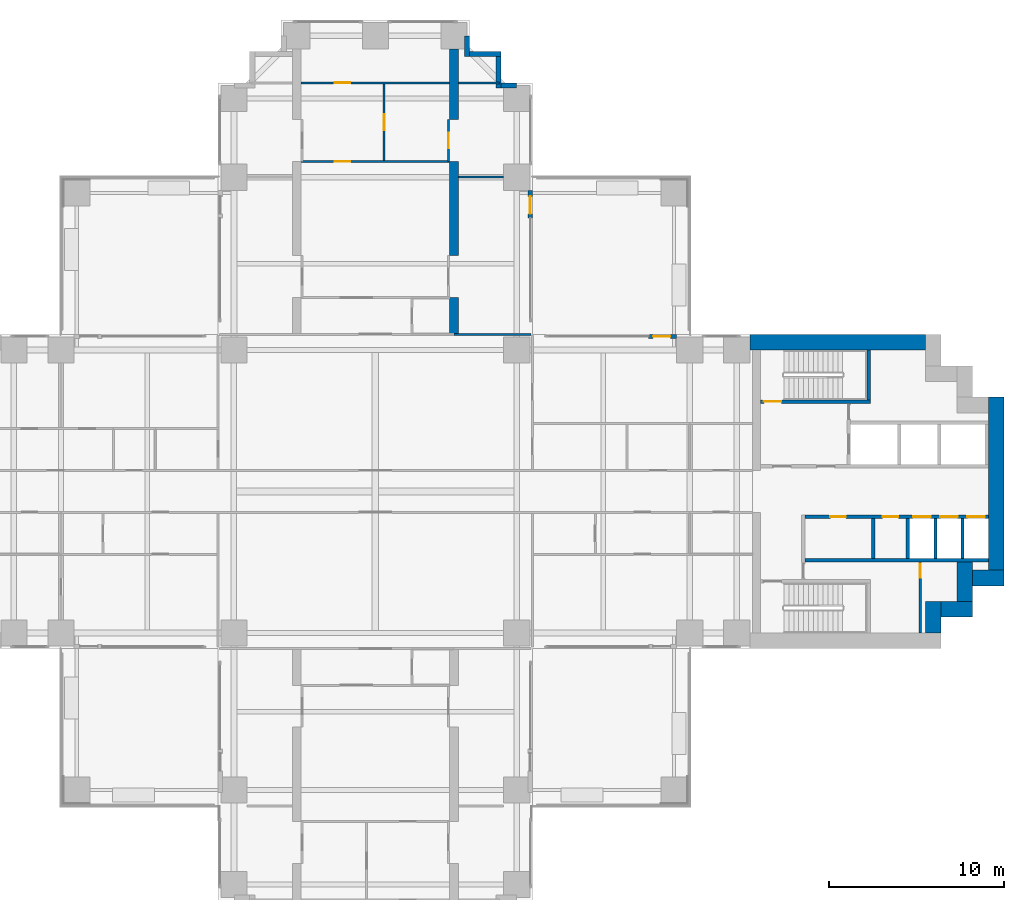
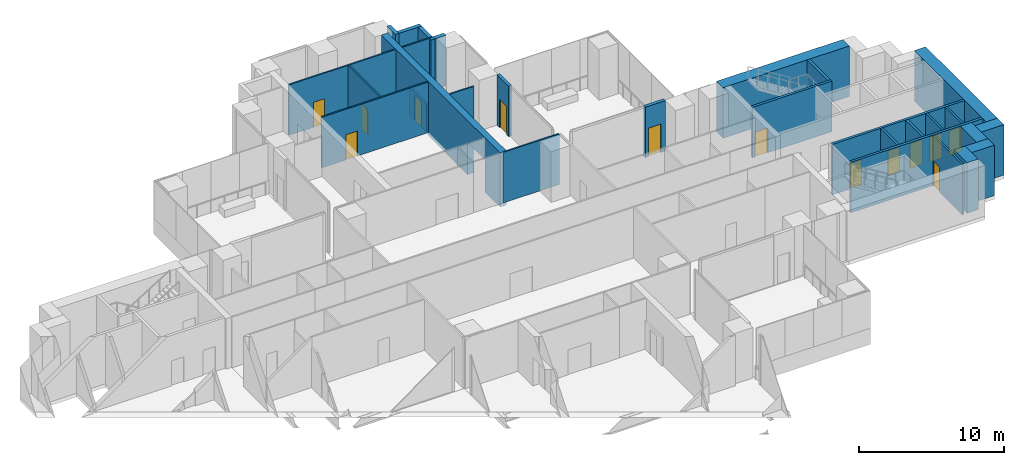
# One storey, part 11 of 15: 29 walls, 13 doors, 13 openings.
"""IFC4 building model written with IfcOpenShell, lengths in metres."""

from ifc_helpers import new_model, si_unit, direction, frame, frame_2d, origin, place, context, subcontext, project, spatial, polyline, rectangle, outline, extrude, material, layer, layer_set, material_profile, profile_set, type_object, element, fill, save


model = new_model("IFC4")

# Units and contexts
model_context = context("Model", 3, precision=1e-05, world=origin(), true_north=direction((0.0, 1.0)))
body_context = subcontext(model_context, "Body", "Model", "MODEL_VIEW")
ifc_project = project(units=[si_unit("LENGTHUNIT", "METRE"), si_unit("AREAUNIT", "SQUARE_METRE"), si_unit("VOLUMEUNIT", "CUBIC_METRE"), si_unit("PLANEANGLEUNIT", "RADIAN"), si_unit("MASSUNIT", "GRAM", prefix="KILO")], contexts=[model_context])

# Site, building, storey
site_placement = place(None, origin())
site = spatial("IfcSite", under=ifc_project, at=site_placement, CompositionType="ELEMENT")
building_placement = place(site_placement, origin())
building = spatial("IfcBuilding", under=site, at=building_placement, Name="Perihelion Cross Residences", CompositionType="ELEMENT")
storey_placement = place(building_placement, frame((0.0, 0.0, 32.0)))
storey = spatial("IfcBuildingStorey", under=building, at=storey_placement, Name="L04", CompositionType="ELEMENT", Elevation=32.0)

# Wall, opening, door
ifc_material_1 = material(Name="Concrete C30/37, bronze-clad", Category="concrete")
ifc_layer_1 = layer(ifc_material_1, 0.25)
ifc_layer_set_1 = layer_set([ifc_layer_1], Name="Bronze-clad pier wall 250")
wall_type_1 = type_object("IfcWallType", Name="Bronze-clad pier wall 250", PredefinedType="SOLIDWALL", material=ifc_layer_set_1)
wall_1_placement = place(storey_placement, frame((17.25, 8.875, 0.0), z_axis=(0.0, 0.0, 1.0), x_axis=(-1.0, 0.0, 0.0)))
wall_1 = element("IfcWall", 1, at=wall_1_placement, inside=storey, type_object=wall_type_1, Name="Wall FW1 L04 east side north bay 2 pier", PredefinedType="SOLIDWALL", context=body_context, shape_type="SweptSolid", body=[
    extrude(rectangle(XDim=1.60009765625, YDim=0.25, at=frame_2d((0.800048828125, 0.0))), origin(), (0.0, 0.0, 1.0), 4.25),
])
opening_1_placement = place(wall_1_placement, frame((0.35009765625, 0.0, 0.0)))
opening_1 = element("IfcOpeningElement", 2, at=opening_1_placement, cuts=wall_1, Name="Opening L04.E01", PredefinedType="OPENING", context=body_context, shape_type="SweptSolid", body=[
    extrude(rectangle(XDim=1.0, YDim=2.39990234375, at=frame_2d((0.5, 1.199951171875))), frame((0.0, 0.135009765625, 0.0), z_axis=(0.0, -1.0, 0.0), x_axis=(1.0, 0.0, 0.0)), (0.0, 0.0, 1.0), 0.27001953125),
])
ifc_material_2 = material(Name="Bronze anodised aluminium, glazed", Category="aluminium")
door_type_1 = type_object("IfcDoorType", Name="Balcony door 1000 x 2400", OperationType="NOTDEFINED", PredefinedType="DOOR", material=ifc_material_2)
door_1_placement = place(opening_1_placement, origin())
door_1 = element("IfcDoor", 3, at=door_1_placement, inside=storey, type_object=door_type_1, Name="Door L04.E01 east side north bay 2", OperationType="SINGLE_SWING_RIGHT", OverallHeight=2.39990234375, OverallWidth=1.0, PredefinedType="DOOR", context=body_context, shape_type="SweptSolid", body=[
    extrude(rectangle(XDim=1.0, YDim=2.39990234375, at=frame_2d((0.5, 1.199951171875))), frame((0.0, 0.02490234375, 0.0), z_axis=(0.0, -1.0, 0.0), x_axis=(1.0, 0.0, 0.0)), (0.0, 0.0, 1.0), 0.050048828125),
])
fill(opening_1, door_1)

wall_2_placement = place(storey_placement, frame((8.875, 15.64990234375, 0.0), z_axis=(0.0, 0.0, 1.0), x_axis=(0.0, 1.0, 0.0)))
wall_2 = element("IfcWall", 4, at=wall_2_placement, inside=storey, type_object=wall_type_1, Name="Wall FW1 L04 north side east bay 1 pier", PredefinedType="SOLIDWALL", context=body_context, shape_type="SweptSolid", body=[
    extrude(rectangle(XDim=1.60009765625, YDim=0.25, at=frame_2d((0.800048828125, 0.0))), origin(), (0.0, 0.0, 1.0), 4.25),
])
opening_2_placement = place(wall_2_placement, frame((0.25, 0.0, 0.0)))
opening_2 = element("IfcOpeningElement", 5, at=opening_2_placement, cuts=wall_2, Name="Opening L04.E02", PredefinedType="OPENING", context=body_context, shape_type="SweptSolid", body=[
    extrude(rectangle(XDim=1.0, YDim=2.39990234375, at=frame_2d((0.5, 1.199951171875))), frame((0.0, 0.135009765625, 0.0), z_axis=(0.0, -1.0, 0.0), x_axis=(1.0, 0.0, 0.0)), (0.0, 0.0, 1.0), 0.27001953125),
])
door_2_placement = place(opening_2_placement, origin())
door_2 = element("IfcDoor", 6, at=door_2_placement, inside=storey, type_object=door_type_1, Name="Door L04.E02 north side east bay 1", OperationType="SINGLE_SWING_LEFT", OverallHeight=2.39990234375, OverallWidth=1.0, PredefinedType="DOOR", context=body_context, shape_type="SweptSolid", body=[
    extrude(rectangle(XDim=1.0, YDim=2.39990234375, at=frame_2d((0.5, 1.199951171875))), frame((0.0, 0.02490234375, 0.0), z_axis=(0.0, -1.0, 0.0), x_axis=(1.0, 0.0, 0.0)), (0.0, 0.0, 1.0), 0.050048828125),
])
fill(opening_2, door_2)

# Walls
ifc_material_3 = material(Name="Concrete C30/37, bronze-clad", Category="concrete")
ifc_layer_2 = layer(ifc_material_3, 0.300048828125)
ifc_layer_set_2 = layer_set([ifc_layer_2], Name="Bronze-clad serration wall 300")
wall_type_2 = type_object("IfcWallType", Name="Bronze-clad serration wall 300", PredefinedType="SOLIDWALL", material=ifc_layer_set_2)
wall_3_placement = place(storey_placement, frame((8.080078125, 23.25, 0.0), z_axis=(0.0, 0.0, 1.0), x_axis=(-1.0, 0.0, 0.0)))
element("IfcWall", 7, at=wall_3_placement, inside=storey, type_object=wall_type_2, Name="Wall SR1 L04 north corner north-east 1", PredefinedType="SOLIDWALL", context=body_context, shape_type="SweptSolid", body=[
    extrude(rectangle(XDim=0.880126953125, YDim=0.300048828125, at=frame_2d((0.43994140625, 0.0))), origin(), (0.0, 0.0, 1.0), 4.25),
])
wall_4_placement = place(storey_placement, frame((7.050048828125, 23.10009765625, 0.0), z_axis=(0.0, 0.0, 1.0), x_axis=(0.0, 1.0, 0.0)))
element("IfcWall", 8, at=wall_4_placement, inside=storey, type_object=wall_type_2, Name="Wall SR1 L04 north corner north-east 2", PredefinedType="SOLIDWALL", context=body_context, shape_type="SweptSolid", body=[
    extrude(rectangle(XDim=1.7998046875, YDim=0.300048828125, at=frame_2d((0.89990234375, 0.0))), origin(), (0.0, 0.0, 1.0), 4.25),
])
wall_5_placement = place(storey_placement, frame((7.199951171875, 25.050048828125, 0.0), z_axis=(0.0, 0.0, 1.0), x_axis=(-1.0, 0.0, 0.0)))
element("IfcWall", 9, at=wall_5_placement, inside=storey, type_object=wall_type_2, Name="Wall SR1 L04 north corner north-east 3", PredefinedType="SOLIDWALL", context=body_context, shape_type="SweptSolid", body=[
    extrude(rectangle(XDim=1.800048828125, YDim=0.300048828125, at=frame_2d((0.89990234375, 0.0))), origin(), (0.0, 0.0, 1.0), 4.25),
])
wall_6_placement = place(storey_placement, frame((5.25, 24.89990234375, 0.0), z_axis=(0.0, 0.0, 1.0), x_axis=(0.0, 1.0, 0.0)))
element("IfcWall", 10, at=wall_6_placement, inside=storey, type_object=wall_type_2, Name="Wall SR1 L04 north corner north-east 4", PredefinedType="SOLIDWALL", context=body_context, shape_type="SweptSolid", body=[
    extrude(rectangle(XDim=1.18017578125, YDim=0.300048828125, at=frame_2d((0.590087890625, 0.0))), origin(), (0.0, 0.0, 1.0), 4.25),
])
ifc_material_4 = material(Name="Concrete C60/75", Category="concrete")
ifc_layer_3 = layer(ifc_material_4, 0.89990234375)
ifc_layer_set_3 = layer_set([ifc_layer_3], Name="Core wall, outer 900")
wall_type_3 = type_object("IfcWallType", Name="Core wall, outer 900", PredefinedType="SHEAR", material=ifc_layer_set_3)
for number, where, z_axis, x_axis, name in (
    (11, (31.949951171875, -8.10009765625, 0.0), (0.0, 0.0, 1.0), (0.0, 1.0, 0.0), "East core core wall, outer"),
    (12, (32.39990234375, -6.75, 0.0), (0.0, 0.0, 1.0), (1.0, 0.0, 0.0), "East core core wall, outer"),
):
    element("IfcWall", number, at=place(storey_placement, frame(where, z_axis=z_axis, x_axis=x_axis)), inside=storey, type_object=wall_type_3, Name=name, PredefinedType="SHEAR", context=body_context, shape_type="SweptSolid", body=[
        extrude(rectangle(XDim=1.800048828125, YDim=0.89990234375, at=frame_2d((0.89990234375, 0.0))), origin(), (0.0, 0.0, 1.0), 4.25),
    ])
wall_7_placement = place(storey_placement, frame((33.75, -6.300048828125, 0.0), z_axis=(0.0, 0.0, 1.0), x_axis=(0.0, 1.0, 0.0)))
element("IfcWall", 13, at=wall_7_placement, inside=storey, type_object=wall_type_3, Name="East core core wall, outer", PredefinedType="SHEAR", context=body_context, shape_type="SweptSolid", body=[
    extrude(rectangle(XDim=2.25, YDim=0.89990234375, at=frame_2d((1.125, 0.0))), origin(), (0.0, 0.0, 1.0), 4.25),
])
wall_8_placement = place(storey_placement, frame((34.199951171875, -4.949951171875, 0.0), z_axis=(0.0, 0.0, 1.0), x_axis=(1.0, 0.0, 0.0)))
element("IfcWall", 14, at=wall_8_placement, inside=storey, type_object=wall_type_3, Name="East core core wall, outer", PredefinedType="SHEAR", context=body_context, shape_type="SweptSolid", body=[
    extrude(rectangle(XDim=1.800048828125, YDim=0.89990234375, at=frame_2d((0.89990234375, 0.0))), origin(), (0.0, 0.0, 1.0), 4.25),
])
wall_9_placement = place(storey_placement, frame((35.550048828125, -4.5, 0.0), z_axis=(0.0, 0.0, 1.0), x_axis=(0.0, 1.0, 0.0)))
element("IfcWall", 15, at=wall_9_placement, inside=storey, type_object=wall_type_3, Name="East core core wall, outer", PredefinedType="SHEAR", context=body_context, shape_type="SweptSolid", body=[
    extrude(rectangle(XDim=9.89990234375, YDim=0.89990234375, at=frame_2d((4.949951171875, 0.0))), origin(), (0.0, 0.0, 1.0), 4.25),
])
wall_10_placement = place(storey_placement, frame((21.449951171875, 8.550048828125, 0.0), z_axis=(0.0, 0.0, 1.0), x_axis=(1.0, 0.0, 0.0)))
element("IfcWall", 16, at=wall_10_placement, inside=storey, type_object=wall_type_3, Name="East core core wall, outer", PredefinedType="SHEAR", context=body_context, shape_type="SweptSolid", body=[
    extrude(rectangle(XDim=10.050048828125, YDim=0.89990234375, at=frame_2d((5.02490234375, 0.0))), origin(), (0.0, 0.0, 1.0), 4.25),
])

# Wall, opening, door
ifc_material_5 = material(Name="Plasterboard partition")
ifc_layer_4 = layer(ifc_material_5, 0.1201171875)
ifc_layer_set_4 = layer_set([ifc_layer_4], Name="Infill panel 120")
wall_type_4 = type_object("IfcWallType", Name="Infill panel 120", PredefinedType="PARTITIONING", material=ifc_layer_set_4)
wall_11_placement = place(storey_placement, frame((4.18994140625, 18.89990234375, 0.0), z_axis=(0.0, 0.0, 1.0), x_axis=(0.0, 1.0, 0.0)))
wall_11 = element("IfcWall", 17, at=wall_11_placement, inside=storey, type_object=wall_type_4, Name="Partition L04 WI02", PredefinedType="PARTITIONING", context=body_context, shape_type="SweptSolid", body=[
    extrude(rectangle(XDim=2.400146484375, YDim=0.1201171875, at=frame_2d((1.2001953125, 0.0))), origin(), (0.0, 0.0, 1.0), 2.39990234375),
])
opening_3_placement = place(wall_11_placement, frame((0.75, 0.0, 0.0)))
opening_3 = element("IfcOpeningElement", 18, at=opening_3_placement, cuts=wall_11, Name="Opening L04.A34", PredefinedType="OPENING", context=body_context, shape_type="SweptSolid", body=[
    extrude(rectangle(XDim=0.89990234375, YDim=2.10009765625, at=frame_2d((0.449951171875, 1.050048828125))), frame((0.0, 0.070068359375, 0.0), z_axis=(0.0, -1.0, 0.0), x_axis=(1.0, 0.0, 0.0)), (0.0, 0.0, 1.0), 0.14013671875),
])
ifc_material_6 = material(Name="Timber door leaf", Category="wood")
door_type_2 = type_object("IfcDoorType", Name="Interior room door 900 x 2100", OperationType="SINGLE_SWING_LEFT", PredefinedType="DOOR", material=ifc_material_6)
door_3_placement = place(opening_3_placement, origin())
door_3 = element("IfcDoor", 19, at=door_3_placement, inside=storey, type_object=door_type_2, Name="Door L04.A34", OperationType="SINGLE_SWING_RIGHT", OverallHeight=2.10009765625, OverallWidth=0.89990234375, PredefinedType="DOOR", context=body_context, shape_type="SweptSolid", body=[
    extrude(rectangle(XDim=0.89990234375, YDim=2.10009765625, at=frame_2d((0.449951171875, 1.050048828125))), frame((0.0, 0.02490234375, 0.0), z_axis=(0.0, -1.0, 0.0), x_axis=(1.0, 0.0, 0.0)), (0.0, 0.0, 1.0), 0.050048828125),
])
fill(opening_3, door_3)

# Wall
ifc_material_7 = material(Name="Plasterboard partition")
ifc_layer_5 = layer(ifc_material_7, 0.1201171875)
ifc_layer_set_5 = layer_set([ifc_layer_5], Name="Partition wall 120")
wall_type_5 = type_object("IfcWallType", Name="Partition wall 120", PredefinedType="PARTITIONING", material=ifc_layer_set_5)
wall_12_placement = place(storey_placement, frame((4.5, 9.0, 0.0), z_axis=(0.0, 0.0, 1.0), x_axis=(1.0, 0.0, 0.0)))
element("IfcWall", 20, at=wall_12_placement, inside=storey, type_object=wall_type_5, Name="Partition L04 W012", PredefinedType="PARTITIONING", context=body_context, shape_type="SweptSolid", body=[
    extrude(rectangle(XDim=4.419921875, YDim=0.1201171875, at=frame_2d((2.2099609375, 0.0))), origin(), (0.0, 0.0, 1.0), 4.25),
])

# Wall, opening, door
wall_13_placement = place(storey_placement, frame((-4.25, 18.89990234375, 0.0), z_axis=(0.0, 0.0, 1.0), x_axis=(1.0, 0.0, 0.0)))
wall_13 = element("IfcWall", 21, at=wall_13_placement, inside=storey, type_object=wall_type_5, Name="Partition L04 W040", PredefinedType="PARTITIONING", context=body_context, shape_type="SweptSolid", body=[
    extrude(rectangle(XDim=8.5, YDim=0.1201171875, at=frame_2d((4.25, 0.0))), origin(), (0.0, 0.0, 1.0), 4.25),
])
opening_4_placement = place(wall_13_placement, frame((1.925048828125, 0.0, 0.0)))
opening_4 = element("IfcOpeningElement", 22, at=opening_4_placement, cuts=wall_13, Name="Opening L04.A24", PredefinedType="OPENING", context=body_context, shape_type="SweptSolid", body=[
    extrude(rectangle(XDim=0.89990234375, YDim=2.10009765625, at=frame_2d((0.449951171875, 1.050048828125))), frame((0.0, 0.070068359375, 0.0), z_axis=(0.0, -1.0, 0.0), x_axis=(1.0, 0.0, 0.0)), (0.0, 0.0, 1.0), 0.14013671875),
])
door_4_placement = place(opening_4_placement, origin())
door_4 = element("IfcDoor", 23, at=door_4_placement, inside=storey, type_object=door_type_2, Name="Door L04.A24", OperationType="SINGLE_SWING_LEFT", OverallHeight=2.10009765625, OverallWidth=0.89990234375, PredefinedType="DOOR", context=body_context, shape_type="SweptSolid", body=[
    extrude(rectangle(XDim=0.89990234375, YDim=2.10009765625, at=frame_2d((0.449951171875, 1.050048828125))), frame((0.0, 0.02490234375, 0.0), z_axis=(0.0, -1.0, 0.0), x_axis=(1.0, 0.0, 0.0)), (0.0, 0.0, 1.0), 0.050048828125),
])
fill(opening_4, door_4)

wall_14_placement = place(storey_placement, frame((0.5, 23.340087890625, 0.0), z_axis=(0.0, 0.0, 1.0), x_axis=(0.0, -1.0, 0.0)))
wall_14 = element("IfcWall", 24, at=wall_14_placement, inside=storey, type_object=wall_type_5, Name="Partition L04 W041", PredefinedType="PARTITIONING", context=body_context, shape_type="SweptSolid", body=[
    extrude(rectangle(XDim=4.380126953125, YDim=0.1201171875, at=frame_2d((2.18994140625, 0.0))), origin(), (0.0, 0.0, 1.0), 4.25),
])
opening_5_placement = place(wall_14_placement, frame((1.739990234375, 0.0, 0.0)))
opening_5 = element("IfcOpeningElement", 25, at=opening_5_placement, cuts=wall_14, Name="Opening L04.A25", PredefinedType="OPENING", context=body_context, shape_type="SweptSolid", body=[
    extrude(rectangle(XDim=0.89990234375, YDim=2.10009765625, at=frame_2d((0.449951171875, 1.050048828125))), frame((0.0, 0.070068359375, 0.0), z_axis=(0.0, -1.0, 0.0), x_axis=(1.0, 0.0, 0.0)), (0.0, 0.0, 1.0), 0.14013671875),
])
door_5_placement = place(opening_5_placement, origin())
door_5 = element("IfcDoor", 26, at=door_5_placement, inside=storey, type_object=door_type_2, Name="Door L04.A25", OperationType="SINGLE_SWING_RIGHT", OverallHeight=2.10009765625, OverallWidth=0.89990234375, PredefinedType="DOOR", context=body_context, shape_type="SweptSolid", body=[
    extrude(rectangle(XDim=0.89990234375, YDim=2.10009765625, at=frame_2d((0.449951171875, 1.050048828125))), frame((0.0, 0.02490234375, 0.0), z_axis=(0.0, -1.0, 0.0), x_axis=(1.0, 0.0, 0.0)), (0.0, 0.0, 1.0), 0.050048828125),
])
fill(opening_5, door_5)

wall_15_placement = place(storey_placement, frame((-4.25, 23.39990234375, 0.0), z_axis=(0.0, 0.0, 1.0), x_axis=(1.0, 0.0, 0.0)))
wall_15 = element("IfcWall", 27, at=wall_15_placement, inside=storey, type_object=wall_type_5, Name="Partition L04 W042", PredefinedType="PARTITIONING", context=body_context, shape_type="SweptSolid", body=[
    extrude(rectangle(XDim=8.5, YDim=0.1201171875, at=frame_2d((4.25, 0.0))), origin(), (0.0, 0.0, 1.0), 4.25),
])
opening_6_placement = place(wall_15_placement, frame((1.925048828125, 0.0, 0.0)))
opening_6 = element("IfcOpeningElement", 28, at=opening_6_placement, cuts=wall_15, Name="Opening L04.A26", PredefinedType="OPENING", context=body_context, shape_type="SweptSolid", body=[
    extrude(rectangle(XDim=0.89990234375, YDim=2.10009765625, at=frame_2d((0.449951171875, 1.050048828125))), frame((0.0, 0.070068359375, 0.0), z_axis=(0.0, -1.0, 0.0), x_axis=(1.0, 0.0, 0.0)), (0.0, 0.0, 1.0), 0.14013671875),
])
door_6_placement = place(opening_6_placement, origin())
door_6 = element("IfcDoor", 29, at=door_6_placement, inside=storey, type_object=door_type_2, Name="Door L04.A26", OperationType="SINGLE_SWING_RIGHT", OverallHeight=2.10009765625, OverallWidth=0.89990234375, PredefinedType="DOOR", context=body_context, shape_type="SweptSolid", body=[
    extrude(rectangle(XDim=0.89990234375, YDim=2.10009765625, at=frame_2d((0.449951171875, 1.050048828125))), frame((0.0, 0.02490234375, 0.0), z_axis=(0.0, -1.0, 0.0), x_axis=(1.0, 0.0, 0.0)), (0.0, 0.0, 1.0), 0.050048828125),
])
fill(opening_6, door_6)

# Walls
wall_16_placement = place(storey_placement, frame((4.75, 18.0, 0.0), z_axis=(0.0, 0.0, 1.0), x_axis=(1.0, 0.0, 0.0)))
element("IfcWall", 30, at=wall_16_placement, inside=storey, type_object=wall_type_5, Name="Partition L04 W043", PredefinedType="PARTITIONING", context=body_context, shape_type="SweptSolid", body=[
    extrude(rectangle(XDim=2.60009765625, YDim=0.1201171875, at=frame_2d((1.300048828125, 0.0))), origin(), (0.0, 0.0, 1.0), 3.345947265625),
])
wall_17_placement = place(storey_placement, frame((4.75, 23.39990234375, 0.0), z_axis=(0.0, 0.0, 1.0), x_axis=(1.0, 0.0, 0.0)))
element("IfcWall", 31, at=wall_17_placement, inside=storey, type_object=wall_type_5, Name="Partition L04 W044", PredefinedType="PARTITIONING", context=body_context, shape_type="SweptSolid", body=[
    extrude(rectangle(XDim=2.3701171875, YDim=0.1201171875, at=frame_2d((1.18505859375, 0.0))), origin(), (0.0, 0.0, 1.0), 4.25),
])

# Wall, opening, door
ifc_material_8 = material(Name="Fire-rated board on steel stud", Category="steel")
ifc_layer_6 = layer(ifc_material_8, 0.14990234375)
ifc_layer_set_6 = layer_set([ifc_layer_6], Name="Riser wall 150")
wall_type_6 = type_object("IfcWallType", Name="Riser wall 150", PredefinedType="PARTITIONING", material=ifc_layer_set_6)
wall_18_placement = place(storey_placement, frame((31.199951171875, -8.10009765625, 0.0), z_axis=(0.0, 0.0, 1.0), x_axis=(0.0, 1.0, 0.0)))
wall_18 = element("IfcWall", 32, at=wall_18_placement, inside=storey, type_object=wall_type_6, Name="East core riser wall", PredefinedType="PARTITIONING", context=body_context, shape_type="SweptSolid", body=[
    extrude(rectangle(XDim=4.050048828125, YDim=0.14990234375, at=frame_2d((2.02490234375, 0.0))), origin(), (0.0, 0.0, 1.0), 4.25),
])
opening_7_placement = place(wall_18_placement, frame((3.14990234375, 0.0, 0.0)))
opening_7 = element("IfcOpeningElement", 33, at=opening_7_placement, cuts=wall_18, Name="Opening L04.C13", PredefinedType="OPENING", context=body_context, shape_type="SweptSolid", body=[
    extrude(rectangle(XDim=0.800048828125, YDim=2.10009765625, at=frame_2d((0.39990234375, 1.050048828125))), frame((0.0, 0.0849609375, 0.0), z_axis=(0.0, -1.0, 0.0), x_axis=(1.0, 0.0, 0.0)), (0.0, 0.0, 1.0), 0.169921875),
])
ifc_material_9 = material(Name="Steel, powder coated", Category="steel")
door_type_3 = type_object("IfcDoorType", Name="Riser door 800", OperationType="SINGLE_SWING_LEFT", PredefinedType="DOOR", material=ifc_material_9)
door_7_placement = place(opening_7_placement, origin())
door_7 = element("IfcDoor", 34, at=door_7_placement, inside=storey, type_object=door_type_3, Name="East core riser door", OperationType="SINGLE_SWING_LEFT", OverallHeight=2.10009765625, OverallWidth=0.800048828125, PredefinedType="DOOR", context=body_context, shape_type="SweptSolid", body=[
    extrude(rectangle(XDim=0.800048828125, YDim=2.10009765625, at=frame_2d((0.39990234375, 1.050048828125))), frame((0.0, 0.02490234375, 0.0), z_axis=(0.0, -1.0, 0.0), x_axis=(1.0, 0.0, 0.0)), (0.0, 0.0, 1.0), 0.050048828125),
])
fill(opening_7, door_7)

# Walls
ifc_material_10 = material(Name="Fire-rated board on steel stud", Category="steel")
ifc_layer_7 = layer(ifc_material_10, 0.199951171875)
ifc_layer_set_7 = layer_set([ifc_layer_7], Name="Riser wall 200")
wall_type_7 = type_object("IfcWallType", Name="Riser wall 200", PredefinedType="PARTITIONING", material=ifc_layer_set_7)
wall_19_placement = place(storey_placement, frame((28.5, -3.85009765625, 0.0), z_axis=(0.0, 0.0, 1.0), x_axis=(0.0, 1.0, 0.0)))
element("IfcWall", 35, at=wall_19_placement, inside=storey, type_object=wall_type_7, Name="East core riser wall", PredefinedType="PARTITIONING", context=body_context, shape_type="SweptSolid", body=[
    extrude(rectangle(XDim=2.300048828125, YDim=0.199951171875, at=frame_2d((1.14990234375, 0.0))), origin(), (0.0, 0.0, 1.0), 4.25),
])
ifc_material_11 = material(Name="Concrete C50/60", Category="concrete")
ifc_layer_8 = layer(ifc_material_11, 0.14990234375)
ifc_layer_set_8 = layer_set([ifc_layer_8], Name="Shaft wall 150")
wall_type_8 = type_object("IfcWallType", Name="Shaft wall 150", PredefinedType="SOLIDWALL", material=ifc_layer_set_8)
for number, where, z_axis, x_axis, name in (
    (36, (32.074951171875, -3.85009765625, 0.0), (0.0, 0.0, 1.0), (0.0, 1.0, 0.0), "East core shaft wall"),
    (37, (33.625, -3.85009765625, 0.0), (0.0, 0.0, 1.0), (0.0, 1.0, 0.0), "East core shaft wall"),
):
    element("IfcWall", number, at=place(storey_placement, frame(where, z_axis=z_axis, x_axis=x_axis)), inside=storey, type_object=wall_type_8, Name=name, PredefinedType="SOLIDWALL", context=body_context, shape_type="SweptSolid", body=[
        extrude(rectangle(XDim=2.300048828125, YDim=0.14990234375, at=frame_2d((1.14990234375, 0.0))), origin(), (0.0, 0.0, 1.0), 4.25),
    ])

# Wall, openings, doors
ifc_material_12 = material(Name="Concrete C50/60", Category="concrete")
ifc_layer_9 = layer(ifc_material_12, 0.199951171875)
ifc_layer_set_9 = layer_set([ifc_layer_9], Name="Shaft wall 200")
wall_type_9 = type_object("IfcWallType", Name="Shaft wall 200", PredefinedType="SOLIDWALL", material=ifc_layer_set_9)
wall_20_placement = place(storey_placement, frame((24.60009765625, -1.449951171875, 0.0), z_axis=(0.0, 0.0, 1.0), x_axis=(1.0, 0.0, 0.0)))
wall_20 = element("IfcWall", 38, at=wall_20_placement, inside=storey, type_object=wall_type_9, Name="East core shaft wall", PredefinedType="SOLIDWALL", context=body_context, shape_type="SweptSolid", body=[
    extrude(rectangle(XDim=10.5, YDim=0.199951171875, at=frame_2d((5.25, 0.0))), origin(), (0.0, 0.0, 1.0), 4.25),
])
opening_8_placement = place(wall_20_placement, frame((6.199951171875, 0.0, 0.0)))
opening_8 = element("IfcOpeningElement", 39, at=opening_8_placement, cuts=wall_20, Name="Opening L04.C02", PredefinedType="OPENING", context=body_context, shape_type="SweptSolid", body=[
    extrude(rectangle(XDim=1.0, YDim=2.10009765625, at=frame_2d((0.5, 1.050048828125))), frame((0.0, 0.10986328125, 0.0), z_axis=(0.0, -1.0, 0.0), x_axis=(1.0, 0.0, 0.0)), (0.0, 0.0, 1.0), 0.219970703125),
])
opening_9_placement = place(wall_20_placement, frame((7.75, 0.0, 0.0)))
opening_9 = element("IfcOpeningElement", 40, at=opening_9_placement, cuts=wall_20, Name="Opening L04.C03", PredefinedType="OPENING", context=body_context, shape_type="SweptSolid", body=[
    extrude(rectangle(XDim=1.0, YDim=2.10009765625, at=frame_2d((0.5, 1.050048828125))), frame((0.0, 0.10986328125, 0.0), z_axis=(0.0, -1.0, 0.0), x_axis=(1.0, 0.0, 0.0)), (0.0, 0.0, 1.0), 0.219970703125),
])
opening_10_placement = place(wall_20_placement, frame((9.300048828125, 0.0, 0.0)))
opening_10 = element("IfcOpeningElement", 41, at=opening_10_placement, cuts=wall_20, Name="Opening L04.C04", PredefinedType="OPENING", context=body_context, shape_type="SweptSolid", body=[
    extrude(rectangle(XDim=1.0, YDim=2.10009765625, at=frame_2d((0.5, 1.050048828125))), frame((0.0, 0.10986328125, 0.0), z_axis=(0.0, -1.0, 0.0), x_axis=(1.0, 0.0, 0.0)), (0.0, 0.0, 1.0), 0.219970703125),
])
opening_11_placement = place(wall_20_placement, frame((1.449951171875, 0.0, 0.0)))
opening_11 = element("IfcOpeningElement", 42, at=opening_11_placement, cuts=wall_20, Name="Opening L04.C10", PredefinedType="OPENING", context=body_context, shape_type="SweptSolid", body=[
    extrude(rectangle(XDim=0.89990234375, YDim=2.10009765625, at=frame_2d((0.449951171875, 1.050048828125))), frame((0.0, 0.10986328125, 0.0), z_axis=(0.0, -1.0, 0.0), x_axis=(1.0, 0.0, 0.0)), (0.0, 0.0, 1.0), 0.219970703125),
])
opening_12_placement = place(wall_20_placement, frame((4.449951171875, 0.0, 0.0)))
opening_12 = element("IfcOpeningElement", 43, at=opening_12_placement, cuts=wall_20, Name="Opening L04.C12", PredefinedType="OPENING", context=body_context, shape_type="SweptSolid", body=[
    extrude(rectangle(XDim=0.89990234375, YDim=2.10009765625, at=frame_2d((0.449951171875, 1.050048828125))), frame((0.0, 0.10986328125, 0.0), z_axis=(0.0, -1.0, 0.0), x_axis=(1.0, 0.0, 0.0)), (0.0, 0.0, 1.0), 0.219970703125),
])
ifc_material_13 = material(Name="Stainless steel", Category="steel")
door_type_4 = type_object("IfcDoorType", Name="Landing door 1000", OperationType="DOUBLE_DOOR_SLIDING", PredefinedType="DOOR", material=ifc_material_13)
door_8_placement = place(opening_8_placement, origin())
door_8 = element("IfcDoor", 44, at=door_8_placement, inside=storey, type_object=door_type_4, Name="Landing door, East core low-rise lift 1", OperationType="DOUBLE_DOOR_SLIDING", OverallHeight=2.10009765625, OverallWidth=1.0, PredefinedType="DOOR", context=body_context, shape_type="SweptSolid", body=[
    extrude(rectangle(XDim=1.0, YDim=2.10009765625, at=frame_2d((0.5, 1.050048828125))), frame((0.0, 0.02490234375, 0.0), z_axis=(0.0, -1.0, 0.0), x_axis=(1.0, 0.0, 0.0)), (0.0, 0.0, 1.0), 0.050048828125),
])
fill(opening_8, door_8)
door_9_placement = place(opening_9_placement, origin())
door_9 = element("IfcDoor", 45, at=door_9_placement, inside=storey, type_object=door_type_4, Name="Landing door, East core low-rise lift 2", OperationType="DOUBLE_DOOR_SLIDING", OverallHeight=2.10009765625, OverallWidth=1.0, PredefinedType="DOOR", context=body_context, shape_type="SweptSolid", body=[
    extrude(rectangle(XDim=1.0, YDim=2.10009765625, at=frame_2d((0.5, 1.050048828125))), frame((0.0, 0.02490234375, 0.0), z_axis=(0.0, -1.0, 0.0), x_axis=(1.0, 0.0, 0.0)), (0.0, 0.0, 1.0), 0.050048828125),
])
fill(opening_9, door_9)
door_10_placement = place(opening_10_placement, origin())
door_10 = element("IfcDoor", 46, at=door_10_placement, inside=storey, type_object=door_type_4, Name="Landing door, East core low-rise lift 3", OperationType="DOUBLE_DOOR_SLIDING", OverallHeight=2.10009765625, OverallWidth=1.0, PredefinedType="DOOR", context=body_context, shape_type="SweptSolid", body=[
    extrude(rectangle(XDim=1.0, YDim=2.10009765625, at=frame_2d((0.5, 1.050048828125))), frame((0.0, 0.02490234375, 0.0), z_axis=(0.0, -1.0, 0.0), x_axis=(1.0, 0.0, 0.0)), (0.0, 0.0, 1.0), 0.050048828125),
])
fill(opening_10, door_10)
ifc_material_14 = material(Name="Steel, powder coated", Category="steel")
door_type_5 = type_object("IfcDoorType", Name="Service room door 900", OperationType="SINGLE_SWING_LEFT", PredefinedType="DOOR", material=ifc_material_14)
door_11_placement = place(opening_11_placement, origin())
door_11 = element("IfcDoor", 47, at=door_11_placement, inside=storey, type_object=door_type_5, Name="East core service room door", OperationType="SINGLE_SWING_LEFT", OverallHeight=2.10009765625, OverallWidth=0.89990234375, PredefinedType="DOOR", context=body_context, shape_type="SweptSolid", body=[
    extrude(rectangle(XDim=0.89990234375, YDim=2.10009765625, at=frame_2d((0.449951171875, 1.050048828125))), frame((0.0, 0.02490234375, 0.0), z_axis=(0.0, -1.0, 0.0), x_axis=(1.0, 0.0, 0.0)), (0.0, 0.0, 1.0), 0.050048828125),
])
fill(opening_11, door_11)
door_12_placement = place(opening_12_placement, origin())
door_12 = element("IfcDoor", 48, at=door_12_placement, inside=storey, type_object=door_type_5, Name="East core service room door", OperationType="SINGLE_SWING_LEFT", OverallHeight=2.10009765625, OverallWidth=0.89990234375, PredefinedType="DOOR", context=body_context, shape_type="SweptSolid", body=[
    extrude(rectangle(XDim=0.89990234375, YDim=2.10009765625, at=frame_2d((0.449951171875, 1.050048828125))), frame((0.0, 0.02490234375, 0.0), z_axis=(0.0, -1.0, 0.0), x_axis=(1.0, 0.0, 0.0)), (0.0, 0.0, 1.0), 0.050048828125),
])
fill(opening_12, door_12)

# Walls
wall_21_placement = place(storey_placement, frame((24.60009765625, -3.949951171875, 0.0), z_axis=(0.0, 0.0, 1.0), x_axis=(1.0, 0.0, 0.0)))
element("IfcWall", 49, at=wall_21_placement, inside=storey, type_object=wall_type_9, Name="East core shaft wall", PredefinedType="SOLIDWALL", context=body_context, shape_type="SweptSolid", body=[
    extrude(rectangle(XDim=10.5, YDim=0.199951171875, at=frame_2d((5.25, 0.0))), origin(), (0.0, 0.0, 1.0), 4.25),
])
wall_22_placement = place(storey_placement, frame((30.5, -3.85009765625, 0.0), z_axis=(0.0, 0.0, 1.0), x_axis=(0.0, 1.0, 0.0)))
element("IfcWall", 50, at=wall_22_placement, inside=storey, type_object=wall_type_9, Name="East core shaft wall", PredefinedType="SOLIDWALL", context=body_context, shape_type="SweptSolid", body=[
    extrude(rectangle(XDim=2.300048828125, YDim=0.199951171875, at=frame_2d((1.14990234375, 0.0))), origin(), (0.0, 0.0, 1.0), 4.25),
])

# Wall, opening, door
ifc_material_15 = material(Name="Concrete C50/60", Category="concrete")
ifc_layer_10 = layer(ifc_material_15, 0.199951171875)
ifc_layer_set_10 = layer_set([ifc_layer_10], Name="Stair wall 200")
wall_type_10 = type_object("IfcWallType", Name="Stair wall 200", PredefinedType="SOLIDWALL", material=ifc_layer_set_10)
wall_23_placement = place(storey_placement, frame((22.050048828125, 5.14990234375, 0.0), z_axis=(0.0, 0.0, 1.0), x_axis=(1.0, 0.0, 0.0)))
wall_23 = element("IfcWall", 51, at=wall_23_placement, inside=storey, type_object=wall_type_10, Name="East core stair wall", PredefinedType="SOLIDWALL", context=body_context, shape_type="SweptSolid", body=[
    extrude(rectangle(XDim=6.300048828125, YDim=0.199951171875, at=frame_2d((3.14990234375, 0.0))), origin(), (0.0, 0.0, 1.0), 4.25),
])
opening_13_placement = place(wall_23_placement, frame((0.199951171875, 0.0, 0.0)))
opening_13 = element("IfcOpeningElement", 52, at=opening_13_placement, cuts=wall_23, Name="Opening L04.C06", PredefinedType="OPENING", context=body_context, shape_type="SweptSolid", body=[
    extrude(rectangle(XDim=1.0, YDim=2.10009765625, at=frame_2d((0.5, 1.050048828125))), frame((0.0, 0.10986328125, 0.0), z_axis=(0.0, -1.0, 0.0), x_axis=(1.0, 0.0, 0.0)), (0.0, 0.0, 1.0), 0.219970703125),
])
ifc_material_16 = material(Name="Steel, powder coated", Category="steel")
door_type_6 = type_object("IfcDoorType", Name="Stair door 1000", OperationType="SINGLE_SWING_LEFT", PredefinedType="DOOR", material=ifc_material_16)
door_13_placement = place(opening_13_placement, origin())
door_13 = element("IfcDoor", 53, at=door_13_placement, inside=storey, type_object=door_type_6, Name="East core stair door", OperationType="SINGLE_SWING_LEFT", OverallHeight=2.10009765625, OverallWidth=1.0, PredefinedType="DOOR", context=body_context, shape_type="SweptSolid", body=[
    extrude(rectangle(XDim=1.0, YDim=2.10009765625, at=frame_2d((0.5, 1.050048828125))), frame((0.0, 0.02490234375, 0.0), z_axis=(0.0, -1.0, 0.0), x_axis=(1.0, 0.0, 0.0)), (0.0, 0.0, 1.0), 0.050048828125),
])
fill(opening_13, door_13)

# Walls
wall_24_placement = place(storey_placement, frame((28.25, 5.25, 0.0), z_axis=(0.0, 0.0, 1.0), x_axis=(0.0, 1.0, 0.0)))
element("IfcWall", 54, at=wall_24_placement, inside=storey, type_object=wall_type_10, Name="East core stair wall", PredefinedType="SOLIDWALL", context=body_context, shape_type="SweptSolid", body=[
    extrude(rectangle(XDim=2.85009765625, YDim=0.199951171875, at=frame_2d((1.425048828125, 0.0))), origin(), (0.0, 0.0, 1.0), 4.25),
])
ifc_material_17 = material(Name="Concrete C60/75", Category="concrete")
ifc_material_profile = material_profile(ifc_material_17, outline(polyline([(0.0, 0.0), (2.10009765625, 0.0), (2.10009765625, 2.699951171875), (4.5, 2.699951171875), (4.5, 0.0), (9.89990234375, 0.0), (9.89990234375, 2.699951171875), (12.300048828125, 2.699951171875), (12.300048828125, 0.0), (16.35009765625, 0.0), (16.35009765625, 4.550048828125), (0.0, 4.550048828125), (0.0, 0.0)])), Name="Tip spine wall")
ifc_profile_set = profile_set([ifc_material_profile], Name="Concrete C60/75")
wall_type_11 = type_object("IfcWallType", Name="Tip spine wall 500 with 2 door openings 16350 long 4550 high concrete C60/75 hand B", PredefinedType="SHEAR", material=ifc_profile_set)
wall_25_placement = place(storey_placement, frame((4.25, 9.0, -0.300048828125), z_axis=(1.0, 0.0, 0.0), x_axis=(0.0, 1.0, 0.0)))
element("IfcWall", 55, at=wall_25_placement, inside=storey, type_object=wall_type_11, Name="Shear wall SW20 L04 north east", PredefinedType="SHEAR", context=body_context, shape_type="SweptSolid", body=[
    extrude(outline(polyline([(0.0, 0.0), (2.10009765625, 0.0), (2.10009765625, 2.699951171875), (4.5, 2.699951171875), (4.5, 0.0), (9.89990234375, 0.0), (9.89990234375, 2.699951171875), (12.300048828125, 2.699951171875), (12.300048828125, 0.0), (16.35009765625, 0.0), (16.35009765625, 4.550048828125), (0.0, 4.550048828125), (0.0, 0.0)])), origin(), (0.0, 0.0, 1.0), 0.5),
])

save(model, "model.ifc")
